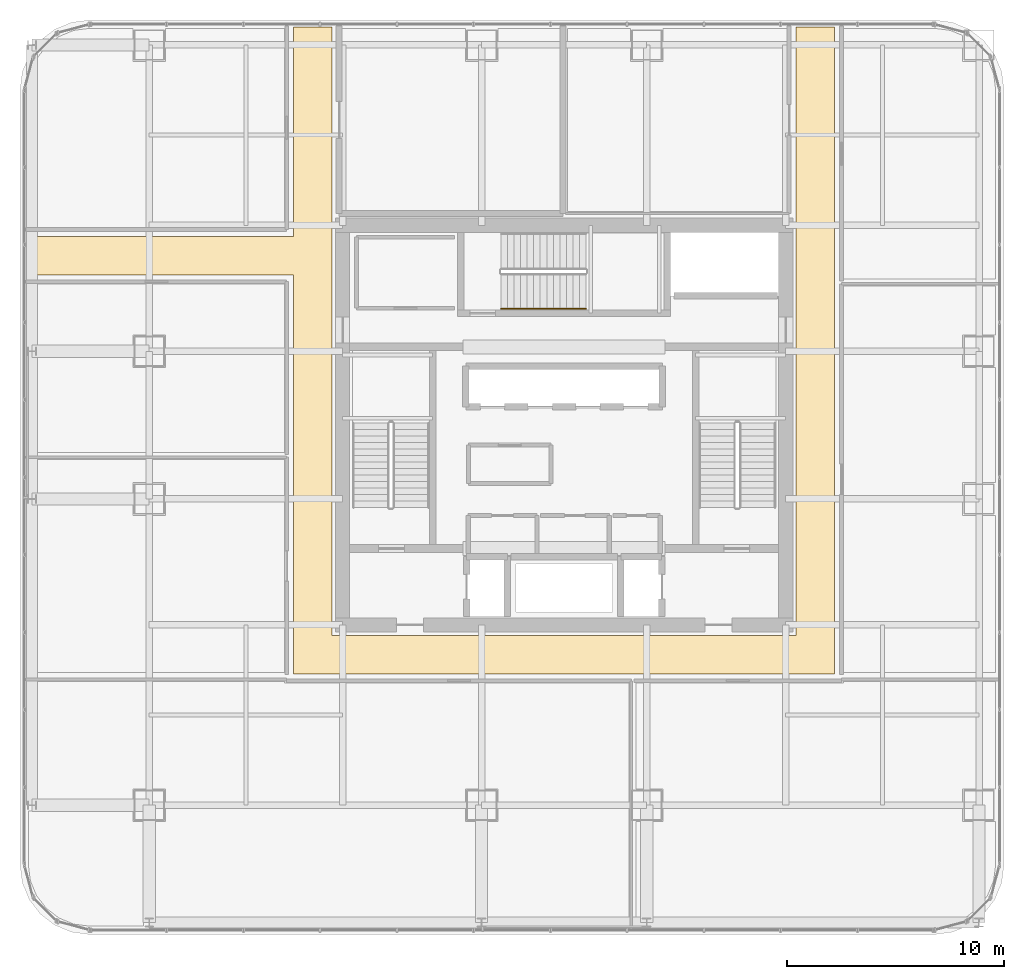
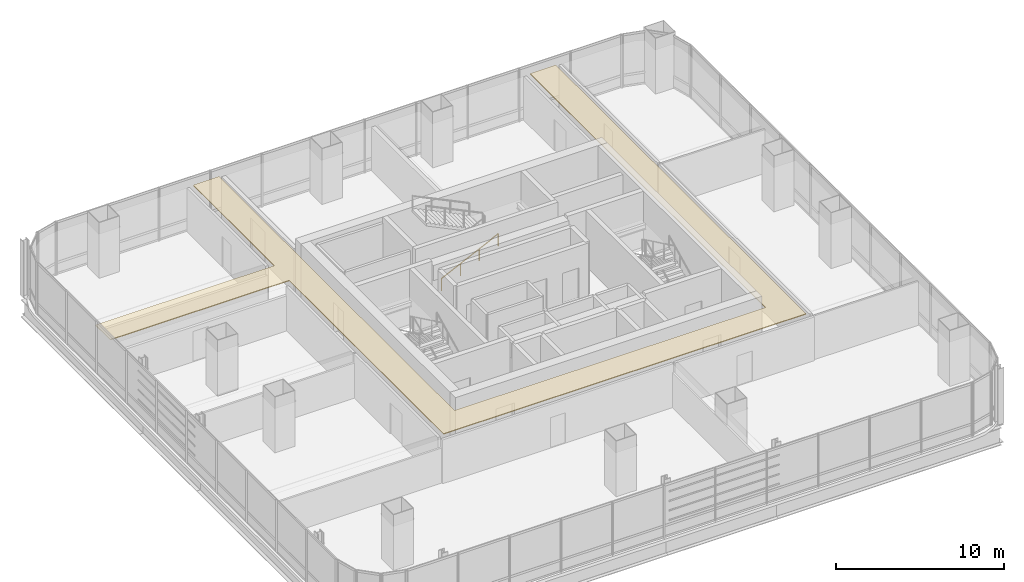
# One storey, part 34 of 36: 1 covering, 1 railing.
"""IFC4 building model written with IfcOpenShell, lengths in metres."""

from ifc_helpers import new_model, si_unit, direction, frame, origin, origin_2d, place, context, subcontext, project, spatial, polyline, circle, outline, extrude, material, layer, layer_set, type_object, element, save


model = new_model("IFC4")

# Units and contexts
model_context = context("Model", 3, precision=1e-05, world=origin(), true_north=direction((0.0, 1.0)))
body_context = subcontext(model_context, "Body", "Model", "MODEL_VIEW")
ifc_project = project(units=[si_unit("LENGTHUNIT", "METRE"), si_unit("AREAUNIT", "SQUARE_METRE"), si_unit("VOLUMEUNIT", "CUBIC_METRE"), si_unit("PLANEANGLEUNIT", "RADIAN"), si_unit("MASSUNIT", "GRAM", prefix="KILO")], contexts=[model_context])

# Site, building, storey
site_placement = place(None, origin())
site = spatial("IfcSite", under=ifc_project, at=site_placement, CompositionType="ELEMENT")
building_placement = place(site_placement, origin())
building = spatial("IfcBuilding", under=site, at=building_placement, Name="Punatoya Terracotta Tower", CompositionType="ELEMENT")
storey_placement = place(building_placement, frame((0.0, 0.0, 176.25)))
storey = spatial("IfcBuildingStorey", under=building, at=storey_placement, Name="L41", CompositionType="ELEMENT", Elevation=176.25)

# Covering
ifc_material_1 = material(Name="Acoustic Mineral Fibre Ceiling")
ifc_layer = layer(ifc_material_1, 0.06005859375)
ifc_layer_set = layer_set([ifc_layer], Name="Acoustic Mineral Fibre Ceiling")
covering_type = type_object("IfcCoveringType", Name="COV-CEIL-60", PredefinedType="CEILING", material=ifc_layer_set)
covering_placement = place(storey_placement, frame((0.0, 0.0, 3.219970703125)))
element("IfcCovering", 1, at=covering_placement, inside=storey, type_object=covering_type, Name="L41 Central Spine Circulation Corridor Acoustic Ceiling", PredefinedType="CEILING", context=body_context, shape_type="SweptSolid", body=[
    extrude(outline(polyline([(10.679931640625, -9.679931640625), (-10.679931640625, -9.679931640625), (-10.679931640625, 18.330078125), (-12.449951171875, 18.330078125), (-12.449951171875, 8.679931640625), (-24.72998046875, 8.679931640625), (-24.72998046875, 6.919921875), (-12.449951171875, 6.919921875), (-12.449951171875, -11.449951171875), (12.449951171875, -11.449951171875), (12.449951171875, 18.330078125), (10.679931640625, 18.330078125), (10.679931640625, -9.679931640625)])), origin(), (0.0, 0.0, 1.0), 0.06005859375),
])

# Railing
ifc_material_2 = material(Name="Steel S355", Category="steel")
railing_type = type_object("IfcRailingType", Name="RLG-HND-900", PredefinedType="HANDRAIL", material=ifc_material_2)
railing_placement = place(storey_placement, frame((-2.89990234375, 5.35009765625, 0.14453125)))
element("IfcRailing", 2, at=railing_placement, inside=storey, type_object=railing_type, Name="L41 ST-3 stair handrail 1", PredefinedType="HANDRAIL", context=body_context, shape_type="SweptSolid", body=[
    extrude(circle(Radius=0.02392578125, at=origin_2d()), frame((0.0, 0.0, 0.8759765625), z_axis=(0.900763166376, 0.0, 0.434310623978), x_axis=(0.0, 1.0, 0.0)), (0.0, 0.0, 1.0), 4.32958984375),
    extrude(circle(Radius=0.02099609375, at=origin_2d()), origin(), (0.0, 0.0, 1.0), 0.851806640625),
    extrude(circle(Radius=0.02099609375, at=origin_2d()), frame((1.300048828125, 0.0, 0.626708984375)), (0.0, 0.0, 1.0), 0.851806640625),
    extrude(circle(Radius=0.02099609375, at=origin_2d()), frame((2.599853515625, 0.0, 1.253662109375)), (0.0, 0.0, 1.0), 0.851806640625),
    extrude(circle(Radius=0.02099609375, at=origin_2d()), frame((3.89990234375, 0.0, 1.88037109375)), (0.0, 0.0, 1.0), 0.851806640625),
])

save(model, "model.ifc")
